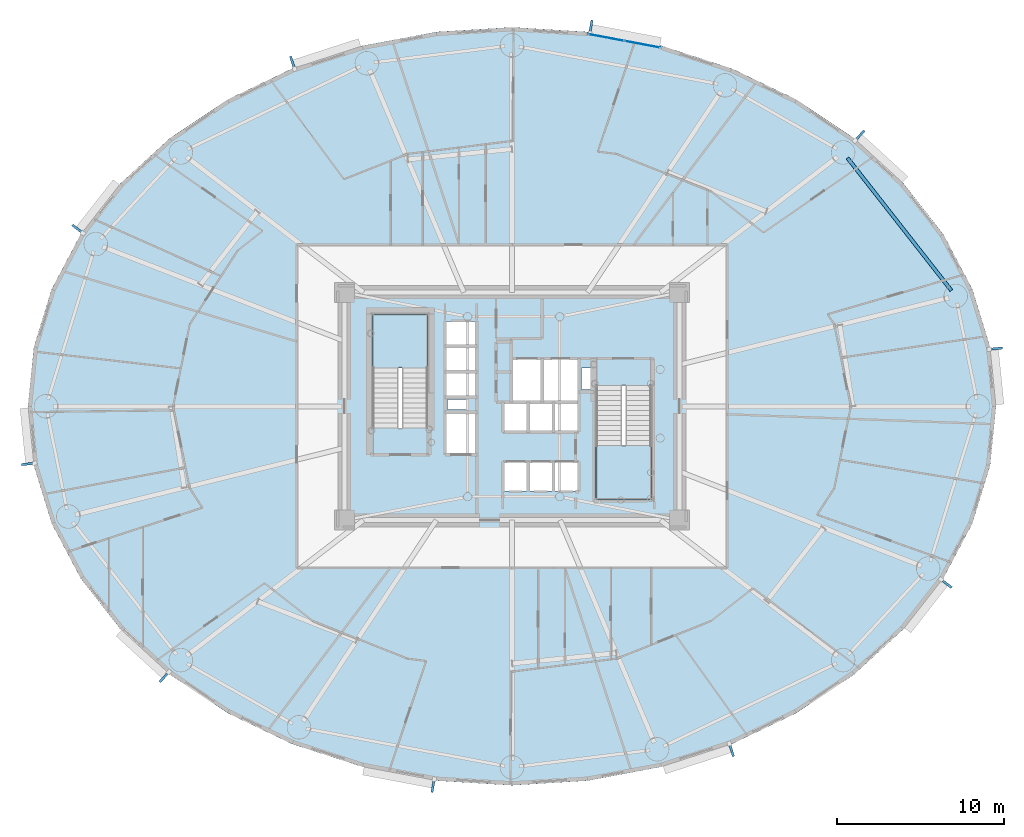
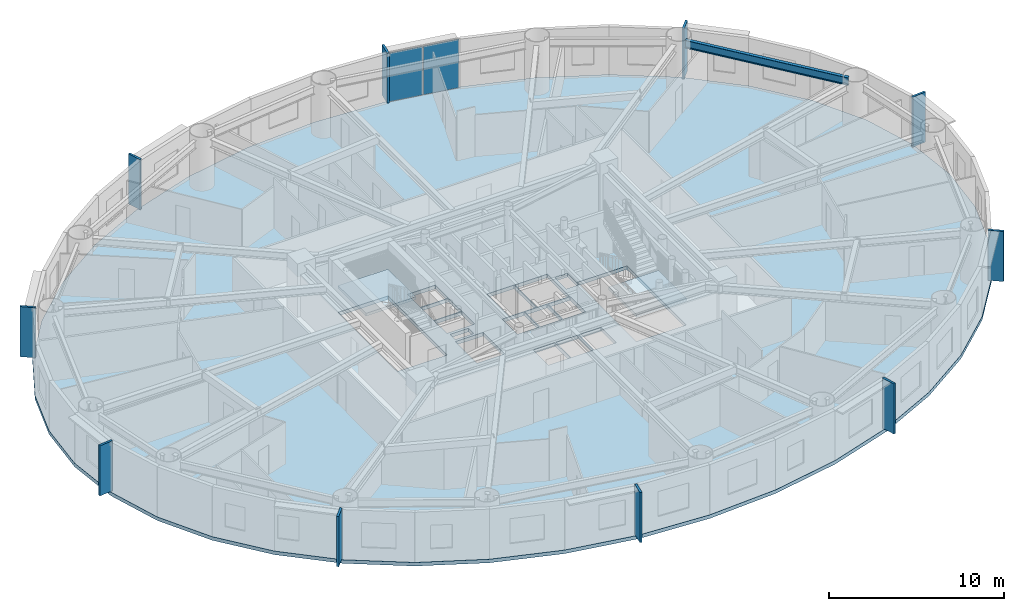
# One storey, part 5 of 19: 12 plates, 3 slabs, 1 beam, 3 elements without a shape of their own.
"""IFC4 building model written with IfcOpenShell, lengths in metres."""

from ifc_helpers import new_model, si_unit, direction, frame, origin, origin_2d, place, context, subcontext, project, spatial, polyline, rectangle, i_section, outline, extrude, source, transform, mapped, material, layer, layer_set, material_profile, profile_set, type_object, element, aggregate, save


model = new_model("IFC4")

# Units and contexts
model_context = context("Model", 3, precision=1e-05, world=origin(), true_north=direction((0.0, 1.0)))
body_context = subcontext(model_context, "Body", "Model", "MODEL_VIEW")
ifc_project = project(units=[si_unit("LENGTHUNIT", "METRE"), si_unit("AREAUNIT", "SQUARE_METRE"), si_unit("VOLUMEUNIT", "CUBIC_METRE"), si_unit("PLANEANGLEUNIT", "RADIAN"), si_unit("MASSUNIT", "GRAM", prefix="KILO")], contexts=[model_context])

# Site, building, storey
site_placement = place(None, origin())
site = spatial("IfcSite", under=ifc_project, at=site_placement, CompositionType="ELEMENT")
building_placement = place(site_placement, origin())
building = spatial("IfcBuilding", under=site, at=building_placement, Name="Linh Dai School and Residence Tower", CompositionType="ELEMENT")
storey_placement = place(building_placement, frame((0.0, 0.0, 112.199951171875)))
storey = spatial("IfcBuildingStorey", under=building, at=storey_placement, Name="L26", CompositionType="ELEMENT", Elevation=112.199951171875)

# Beam
ifc_material_1 = material(Name="Structural Steel S355JR", Category="steel")
ifc_material_profile = material_profile(ifc_material_1, i_section(OverallWidth=0.2099609375, OverallDepth=0.550048828125, WebThickness=0.010986328125, FlangeThickness=0.01708984375, FilletRadius=0.02392578125, at=origin_2d()), Name="IPE 550")
ifc_profile_set = profile_set([ifc_material_profile], Name="Structural Steel S355JR")
beam_type = type_object("IfcBeamType", Name="BM-RB55", PredefinedType="BEAM", material=ifc_profile_set)
beam_placement = place(storey_placement, frame((62.233642578125, 33.91162109375, 3.22509765625), z_axis=(-0.616854830973, 0.787076945098, 0.0), x_axis=(-0.787076945098, -0.616854830973, 0.0)))
element("IfcBeam", 1, at=beam_placement, inside=storey, type_object=beam_type, Name="L26 Perimeter Elliptical Ring Beam 02", PredefinedType="BEAM", context=body_context, shape_type="SweptSolid", body=[
    extrude(i_section(OverallWidth=0.2099609375, OverallDepth=0.550048828125, WebThickness=0.010986328125, FlangeThickness=0.01708984375, FilletRadius=0.02392578125, at=origin_2d()), origin(), (0.0, 0.0, 1.0), 10.053955078125),
])

# Slab
ifc_material_2 = material(Name="Concrete B45 (C35/45)", Category="concrete")
ifc_layer_1 = layer(ifc_material_2, 0.25)
ifc_layer_set_1 = layer_set([ifc_layer_1], Name="Concrete B45 (C35/45)")
slab_type_1 = type_object("IfcSlabType", Name="SLB-FLR250", PredefinedType="FLOOR", material=ifc_layer_set_1)
slab_1_placement = place(storey_placement, frame((0.0, 0.0, -0.25)))
element("IfcSlab", 2, at=slab_1_placement, inside=storey, type_object=slab_type_1, Name="L26 Composite Structural Floor Slab", PredefinedType="FLOOR", context=body_context, shape_type="SweptSolid", body=[
    extrude(outline(polyline([(64.89990234375, 27.0), (64.544189453125, 30.5400390625), (63.485595703125, 33.9931640625), (61.75, 37.27392578125), (59.380615234375, 40.301513671875), (56.435302734375, 43.001708984375), (52.987060546875, 45.30810546875), (49.120361328125, 47.16357421875), (44.9306640625, 48.5224609375), (40.52099609375, 49.351318359375), (36.0, 49.6298828125), (31.47900390625, 49.351318359375), (27.0693359375, 48.5224609375), (22.879638671875, 47.16357421875), (19.012939453125, 45.30810546875), (15.564697265625, 43.001708984375), (12.619384765625, 40.301513671875), (10.25, 37.27392578125), (8.514404296875, 33.9931640625), (7.455810546875, 30.5400390625), (7.10009765625, 27.0), (7.455810546875, 23.4599609375), (8.514404296875, 20.0068359375), (10.25, 16.72607421875), (12.619384765625, 13.698486328125), (15.564697265625, 10.998291015625), (19.012939453125, 8.69189453125), (22.879638671875, 6.83642578125), (27.0693359375, 5.4775390625), (31.47900390625, 4.648681640625), (36.0, 4.3701171875), (40.52099609375, 4.648681640625), (44.9306640625, 5.4775390625), (49.120361328125, 6.83642578125), (52.987060546875, 8.69189453125), (56.435302734375, 10.998291015625), (59.380615234375, 13.698486328125), (61.75, 16.72607421875), (63.485595703125, 20.0068359375), (64.544189453125, 23.4599609375), (64.89990234375, 27.0)]), holes=[polyline([(30.97998046875, 25.699951171875), (30.97998046875, 32.5), (27.679931640625, 32.5), (27.679931640625, 25.699951171875), (30.97998046875, 25.699951171875)]), polyline([(41.02001953125, 28.25), (41.02001953125, 21.449951171875), (44.320068359375, 21.449951171875), (44.320068359375, 28.25), (41.02001953125, 28.25)]), polyline([(35.97998046875, 27.280029296875), (37.77001953125, 27.280029296875), (37.77001953125, 29.820068359375), (35.97998046875, 29.820068359375), (35.97998046875, 27.280029296875)]), polyline([(32.030029296875, 24.1298828125), (33.8701171875, 24.1298828125), (33.8701171875, 26.6201171875), (32.030029296875, 26.6201171875), (32.030029296875, 24.1298828125)]), polyline([(37.830078125, 27.280029296875), (39.969970703125, 27.280029296875), (39.969970703125, 29.820068359375), (37.830078125, 29.820068359375), (37.830078125, 27.280029296875)]), polyline([(35.47998046875, 21.929931640625), (36.929931640625, 21.929931640625), (36.929931640625, 23.669921875), (35.47998046875, 23.669921875), (35.47998046875, 21.929931640625)]), polyline([(36.989990234375, 21.929931640625), (38.449951171875, 21.929931640625), (38.449951171875, 23.669921875), (36.989990234375, 23.669921875), (36.989990234375, 21.929931640625)]), polyline([(38.510009765625, 21.929931640625), (39.969970703125, 21.929931640625), (39.969970703125, 23.669921875), (38.510009765625, 23.669921875), (38.510009765625, 21.929931640625)]), polyline([(32.030029296875, 27.580078125), (33.8701171875, 27.580078125), (33.8701171875, 29.030029296875), (32.030029296875, 29.030029296875), (32.030029296875, 27.580078125)]), polyline([(32.030029296875, 29.090087890625), (33.8701171875, 29.090087890625), (33.8701171875, 30.550048828125), (32.030029296875, 30.550048828125), (32.030029296875, 29.090087890625)]), polyline([(32.030029296875, 30.610107421875), (33.8701171875, 30.610107421875), (33.8701171875, 32.070068359375), (32.030029296875, 32.070068359375), (32.030029296875, 30.610107421875)]), polyline([(35.47998046875, 25.47998046875), (36.929931640625, 25.47998046875), (36.929931640625, 27.219970703125), (35.47998046875, 27.219970703125), (35.47998046875, 25.47998046875)]), polyline([(36.989990234375, 25.47998046875), (38.449951171875, 25.47998046875), (38.449951171875, 27.219970703125), (36.989990234375, 27.219970703125), (36.989990234375, 25.47998046875)]), polyline([(38.510009765625, 25.47998046875), (39.969970703125, 25.47998046875), (39.969970703125, 27.219970703125), (38.510009765625, 27.219970703125), (38.510009765625, 25.47998046875)]), polyline([(40.14990234375, 28.0), (40.14990234375, 29.300048828125), (41.0, 29.300048828125), (41.0, 28.280029296875), (40.989990234375, 28.280029296875), (40.989990234375, 28.0), (40.14990234375, 28.0)]), polyline([(32.14990234375, 26.800048828125), (33.35009765625, 26.800048828125), (33.35009765625, 27.39990234375), (32.14990234375, 27.39990234375), (32.14990234375, 26.800048828125)])]), origin(), (0.0, 0.0, 1.0), 0.25),
])

# Stair, slab
stair_type = type_object("IfcStairType", Name="ST-DOG-1550-R1442", PredefinedType="HALF_TURN_STAIR", material=ifc_material_2)
stair_1_placement = place(storey_placement, origin())
stair_1 = element("IfcStair", 3, at=stair_1_placement, inside=storey, type_object=stair_type, Name="L26 Core Smokeproof Exit Stair ST1", PredefinedType="HALF_TURN_STAIR")
ifc_layer_2 = layer(ifc_material_2, 0.199951171875)
ifc_layer_set_2 = layer_set([ifc_layer_2], Name="Concrete B45 (C35/45)")
slab_type_2 = type_object("IfcSlabType", Name="SLB-ST-LANDING-200", PredefinedType="LANDING", material=ifc_layer_set_2)
slab_2_placement = place(storey_placement, frame((0.0, 0.0, 1.675048828125)))
slab_2 = element("IfcSlab", 4, at=slab_2_placement, type_object=slab_type_2, Name="ST1 landing 1", PredefinedType="LANDING", context=body_context, shape_type="SweptSolid", body=[
    extrude(outline(polyline([(30.97998046875, 29.300048828125), (30.97998046875, 32.5), (27.679931640625, 32.5), (27.679931640625, 29.300048828125), (30.97998046875, 29.300048828125)])), origin(), (0.0, 0.0, 1.0), 0.199951171875),
])
aggregate(stair_1, [slab_2])

stair_2_placement = place(storey_placement, origin())
stair_2 = element("IfcStair", 5, at=stair_2_placement, inside=storey, type_object=stair_type, Name="L26 Core Smokeproof Exit Stair ST2", PredefinedType="HALF_TURN_STAIR")
slab_3_placement = place(storey_placement, frame((0.0, 0.0, 1.675048828125)))
slab_3 = element("IfcSlab", 6, at=slab_3_placement, type_object=slab_type_2, Name="ST2 landing 1", PredefinedType="LANDING", context=body_context, shape_type="SweptSolid", body=[
    extrude(outline(polyline([(41.02001953125, 24.64990234375), (41.02001953125, 21.449951171875), (44.320068359375, 21.449951171875), (44.320068359375, 24.64990234375), (41.02001953125, 24.64990234375)])), origin(), (0.0, 0.0, 1.0), 0.199951171875),
])
aggregate(stair_2, [slab_3])

# Plates
ifc_material_3 = material(Name="Precast Concrete B45 (C35/45)", Category="concrete")
ifc_layer_3 = layer(ifc_material_3, 0.139892578125)
ifc_layer_set_3 = layer_set([ifc_layer_3], Name="Precast Concrete B45 (C35/45)")
plate_type_1 = type_object("IfcPlateType", Name="FIN-TC-900x140", PredefinedType="USERDEFINED", material=ifc_layer_set_3)
shared_shape_1 = source(origin(), body_context, "Body", "SweptSolid", [
    extrude(rectangle(XDim=0.89990234375, YDim=0.139892578125, at=origin_2d()), origin(), (0.0, 0.0, 1.0), 3.5),
])
for number, where, z_axis, x_axis, name in (
    (7, (64.841552734375, 30.43701171875, 0.0), (0.0, 0.0, 1.0), (0.994986703684, 0.100007297192, 0.0), "L26 Precast Terracotta Radial Fin 01"),
    (8, (56.723876953125, 43.12451171875, 0.0), (0.0, 0.0, 1.0), (0.675783395482, 0.737100266172, 0.0), "L26 Precast Terracotta Radial Fin 05"),
    (9, (40.69921875, 49.608154296875, 0.0), (0.0, 0.0, 1.0), (0.18475466193, 0.982784673718, 0.0), "L26 Precast Terracotta Radial Fin 09"),
    (10, (22.91357421875, 47.474365234375, 0.0), (0.0, 0.0, 1.0), (-0.308522363457, 0.951217089442, 0.0), "L26 Precast Terracotta Radial Fin 13"),
    (11, (10.105712890625, 37.552734375, 0.0), (0.0, 0.0, 1.0), (-0.787507539838, 0.616305017583, 0.0), "L26 Precast Terracotta Radial Fin 17"),
    (12, (7.158447265625, 23.56298828125, 0.0), (0.0, 0.0, 1.0), (-0.994986703684, -0.100007297192, 0.0), "L26 Precast Terracotta Radial Fin 21"),
    (13, (15.276123046875, 10.87548828125, 0.0), (0.0, 0.0, 1.0), (-0.675783395482, -0.737100266172, 0.0), "L26 Precast Terracotta Radial Fin 25"),
    (14, (31.30078125, 4.391845703125, 0.0), (0.0, 0.0, 1.0), (-0.18475466193, -0.982784673718, 0.0), "L26 Precast Terracotta Radial Fin 29"),
    (15, (49.08642578125, 6.525634765625, 0.0), (0.0, 0.0, 1.0), (0.308522363457, -0.951217089442, 0.0), "L26 Precast Terracotta Radial Fin 33"),
    (16, (61.894287109375, 16.447265625, 0.0), (0.0, 0.0, 1.0), (0.787507539838, -0.616305017583, 0.0), "L26 Precast Terracotta Radial Fin 37"),
):
    element("IfcPlate", number, at=place(storey_placement, frame(where, z_axis=z_axis, x_axis=x_axis)), inside=storey, type_object=plate_type_1, Name=name, ObjectType="RADIAL FIN", PredefinedType="USERDEFINED", context=body_context, shape_type="MappedRepresentation", body=[
        mapped(shared_shape_1, transform((0.0, 0.0, 0.0), x_axis=(1.0, 0.0, 0.0), y_axis=(0.0, 1.0, 0.0), z_axis=(0.0, 0.0, 1.0), scale=1.0)),
    ])

# Curtain wall, plates
ifc_material_4 = material(Name="Aluminium Anodised Curtain Wall", Category="aluminium")
ifc_layer_4 = layer(ifc_material_4, 0.14990234375)
ifc_layer_set_4 = layer_set([ifc_layer_4], Name="Aluminium Anodised Curtain Wall")
curtain_wall_type = type_object("IfcCurtainWallType", Name="CW-SYS-4", PredefinedType="USERDEFINED", material=ifc_layer_set_4)
curtain_wall_placement = place(storey_placement, origin())
curtain_wall = element("IfcCurtainWall", 17, at=curtain_wall_placement, inside=storey, type_object=curtain_wall_type, Name="L26 CW4 Curtain Wall 09", ObjectType="RIBBON CURTAIN WALL", PredefinedType="USERDEFINED")
ifc_material_5 = material(Name="Double Low-E Insulated Glazing", Category="glass")
ifc_layer_5 = layer(ifc_material_5, 0.02587890625)
ifc_layer_set_5 = layer_set([ifc_layer_5], Name="Double Low-E Insulated Glazing")
plate_type_2 = type_object("IfcPlateType", Name="CW-SYS-4-PAN", PredefinedType="CURTAIN_PANEL", material=ifc_layer_set_5)
shared_shape_2 = source(origin(), body_context, "Body", "SweptSolid", [
    extrude(rectangle(XDim=2.157470703125, YDim=0.02587890625, at=origin_2d()), origin(), (0.0, 0.0, 1.0), 3.39599609375),
])
plate_1_placement = place(storey_placement, frame((41.616943359375, 49.018310546875, 0.052001953125), z_axis=(0.0, 0.0, 1.0), x_axis=(0.982784673718, -0.18475466193, 0.0)))
plate_1 = element("IfcPlate", 18, at=plate_1_placement, type_object=plate_type_2, Name="CW4 panel 1.1", PredefinedType="CURTAIN_PANEL", context=body_context, shape_type="MappedRepresentation", body=[
    mapped(shared_shape_2, transform((0.0, 0.0, 0.0), x_axis=(1.0, 0.0, 0.0), y_axis=(0.0, 1.0, 0.0), z_axis=(0.0, 0.0, 1.0), scale=1.0)),
])
plate_2_placement = place(storey_placement, frame((43.788330078125, 48.610107421875, 0.052001953125), z_axis=(0.0, 0.0, 1.0), x_axis=(0.982784673718, -0.18475466193, 0.0)))
plate_2 = element("IfcPlate", 19, at=plate_2_placement, type_object=plate_type_2, Name="CW4 panel 2.1", PredefinedType="CURTAIN_PANEL", context=body_context, shape_type="MappedRepresentation", body=[
    mapped(shared_shape_2, transform((0.0, 0.0, 0.0), x_axis=(1.0, 0.0, 0.0), y_axis=(0.0, 1.0, 0.0), z_axis=(0.0, 0.0, 1.0), scale=1.0)),
])
aggregate(curtain_wall, [plate_1, plate_2])

save(model, "model.ifc")
